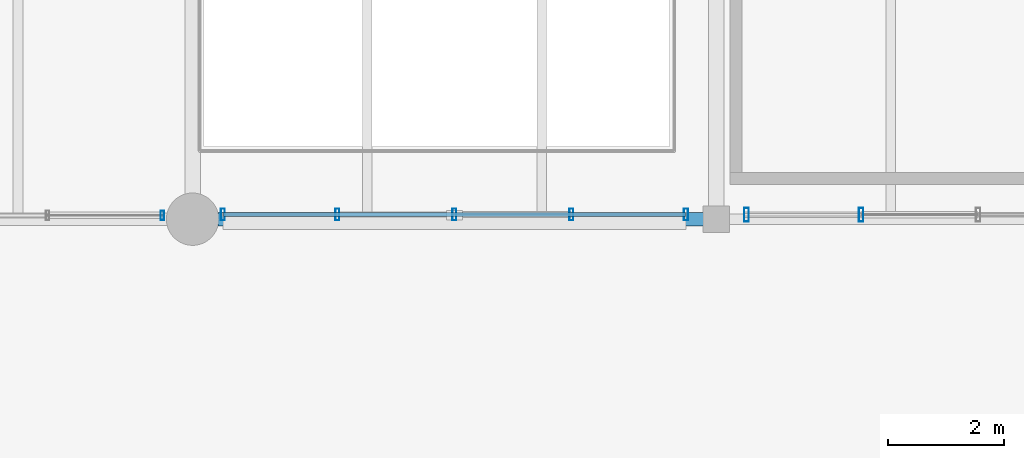
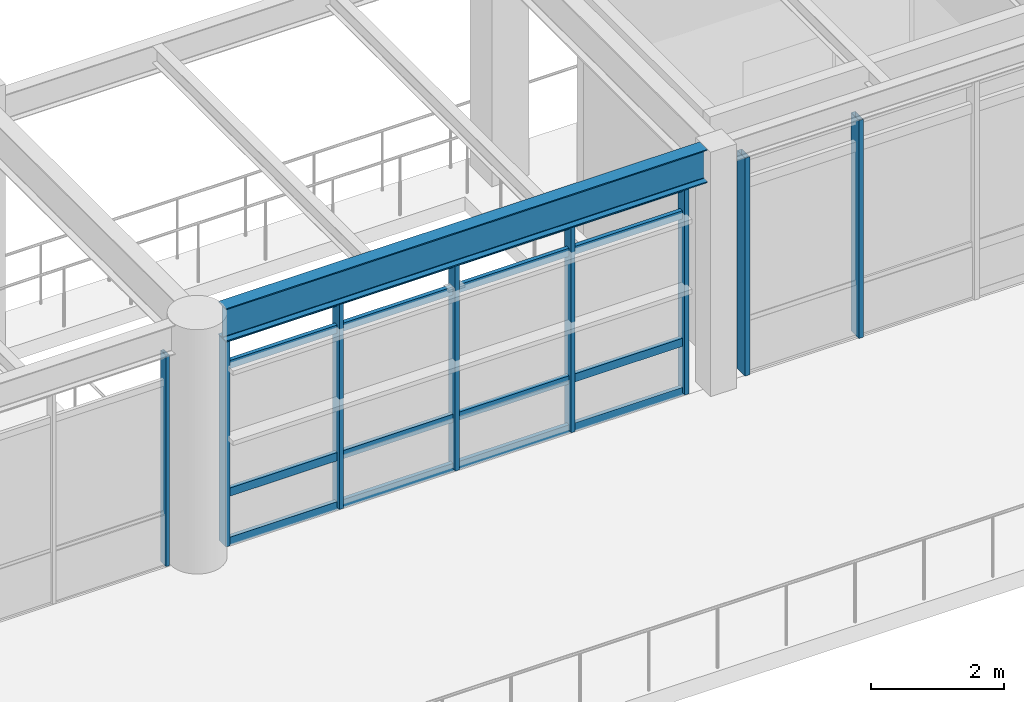
# One storey, part 49 of 200: 12 members, 1 beam, 3 elements without a shape of their own.
"""IFC4 building model written with IfcOpenShell, lengths in metres."""

from ifc_helpers import new_model, si_unit, direction, frame, origin, origin_2d, place, context, subcontext, project, spatial, hollow_rectangle, i_section, extrude, material, material_profile, profile_set, type_object, element, aggregate, save


model = new_model("IFC4")

# Units and contexts
model_context = context("Model", 3, precision=1e-05, world=origin(), true_north=direction((0.0, 1.0)))
body_context = subcontext(model_context, "Body", "Model", "MODEL_VIEW")
ifc_project = project(units=[si_unit("LENGTHUNIT", "METRE"), si_unit("AREAUNIT", "SQUARE_METRE"), si_unit("VOLUMEUNIT", "CUBIC_METRE"), si_unit("PLANEANGLEUNIT", "RADIAN"), si_unit("MASSUNIT", "GRAM", prefix="KILO"), si_unit("THERMODYNAMICTEMPERATUREUNIT", "KELVIN"), si_unit("POWERUNIT", "WATT")], contexts=[model_context])

# Site, building, storey
site_placement = place(None, origin())
site = spatial("IfcSite", under=ifc_project, at=site_placement, CompositionType="ELEMENT")
building_placement = place(site_placement, origin())
building = spatial("IfcBuilding", under=site, at=building_placement, Name="Tepalcoro Natatorium and Aquatics Centre", CompositionType="ELEMENT")
storey_placement = place(building_placement, frame((0.0, 0.0, 5.39990234375)))
storey = spatial("IfcBuildingStorey", under=building, at=storey_placement, Name="L01", CompositionType="ELEMENT", Elevation=5.39990234375)

# Curtain wall, member
ifc_material_1 = material(Name="Bronze-Anodised Extruded Aluminium Alloy EN AW-6063 T6", Category="aluminium")
curtain_wall_type_1 = type_object("IfcCurtainWallType", Name="CW_LEAN_T1_NS", PredefinedType="USERDEFINED", material=ifc_material_1)
curtain_wall_1_placement = place(storey_placement, origin())
curtain_wall_1 = element("IfcCurtainWall", 1, at=curtain_wall_1_placement, inside=storey, type_object=curtain_wall_type_1, Name="V1 L01 S Unitised Curtain Wall Bay 6", ObjectType="FACETED SOLAR GLAZING", PredefinedType="USERDEFINED")
ifc_material_profile_1 = material_profile(ifc_material_1, hollow_rectangle(XDim=0.06005859375, YDim=0.159912109375, WallThickness=0.00390625, at=origin_2d()), Name="AL60X160X4")
ifc_profile_set_1 = profile_set([ifc_material_profile_1], Name="Bronze-Anodised Extruded Aluminium Alloy EN AW-6063 T6")
member_type_1 = type_object("IfcMemberType", Name="CW_MUL_60x160", PredefinedType="MULLION", material=ifc_profile_set_1)
member_1_placement = place(storey_placement, frame((97.47998046875, 6.56494140625, 0.02001953125), z_axis=(0.0, 0.0, 1.0), x_axis=(1.0, 0.0, 0.0)))
member_1 = element("IfcMember", 2, at=member_1_placement, type_object=member_type_1, Name="CW_LEAN_T1_NS Curtain Wall Mullion", PredefinedType="MULLION", context=body_context, shape_type="SweptSolid", body=[
    extrude(hollow_rectangle(XDim=0.06005859375, YDim=0.159912109375, WallThickness=0.00390625, at=origin_2d()), origin(), (0.0, 0.0, 1.0), 3.8740234375),
])
aggregate(curtain_wall_1, [member_1])

# Curtain wall, members
curtain_wall_type_2 = type_object("IfcCurtainWallType", Name="CW_LEAN_T1_EW", PredefinedType="USERDEFINED", material=ifc_material_1)
curtain_wall_2_placement = place(storey_placement, origin())
curtain_wall_2 = element("IfcCurtainWall", 3, at=curtain_wall_2_placement, inside=storey, type_object=curtain_wall_type_2, Name="V1 L01 S Unitised Curtain Wall Bay 7", ObjectType="FACETED SOLAR GLAZING", PredefinedType="USERDEFINED")
ifc_material_profile_2 = material_profile(ifc_material_1, hollow_rectangle(XDim=0.070068359375, YDim=0.199951171875, WallThickness=0.0048828125, at=origin_2d()), Name="AL70X200X5")
ifc_profile_set_2 = profile_set([ifc_material_profile_2], Name="Bronze-Anodised Extruded Aluminium Alloy EN AW-6063 T6")
member_type_2 = type_object("IfcMemberType", Name="CW_MUL_70x200", PredefinedType="MULLION", material=ifc_profile_set_2)
member_2_placement = place(storey_placement, frame((98.52001953125, 6.580078125, 0.02001953125), z_axis=(0.0, 0.0, 1.0), x_axis=(1.0, 0.0, 0.0)))
member_2 = element("IfcMember", 4, at=member_2_placement, type_object=member_type_2, Name="CW_LEAN_T1_EW Curtain Wall Mullion", PredefinedType="MULLION", context=body_context, shape_type="SweptSolid", body=[
    extrude(hollow_rectangle(XDim=0.070068359375, YDim=0.199951171875, WallThickness=0.0048828125, at=origin_2d()), origin(), (0.0, 0.0, 1.0), 3.798095703125),
])
member_3_placement = place(storey_placement, frame((100.489990234375, 6.580078125, 0.02001953125), z_axis=(0.0, 0.0, 1.0), x_axis=(1.0, 0.0, 0.0)))
member_3 = element("IfcMember", 5, at=member_3_placement, type_object=member_type_2, Name="CW_LEAN_T1_EW Curtain Wall Mullion", PredefinedType="MULLION", context=body_context, shape_type="SweptSolid", body=[
    extrude(hollow_rectangle(XDim=0.070068359375, YDim=0.199951171875, WallThickness=0.0048828125, at=origin_2d()), origin(), (0.0, 0.0, 1.0), 3.798095703125),
])
member_4_placement = place(storey_placement, frame((102.5, 6.580078125, 0.02001953125), z_axis=(0.0, 0.0, 1.0), x_axis=(1.0, 0.0, 0.0)))
member_4 = element("IfcMember", 6, at=member_4_placement, type_object=member_type_2, Name="CW_LEAN_T1_EW Curtain Wall Mullion", PredefinedType="MULLION", context=body_context, shape_type="SweptSolid", body=[
    extrude(hollow_rectangle(XDim=0.070068359375, YDim=0.199951171875, WallThickness=0.0048828125, at=origin_2d()), origin(), (0.0, 0.0, 1.0), 3.798095703125),
])
member_5_placement = place(storey_placement, frame((104.510009765625, 6.580078125, 0.02001953125), z_axis=(0.0, 0.0, 1.0), x_axis=(1.0, 0.0, 0.0)))
member_5 = element("IfcMember", 7, at=member_5_placement, type_object=member_type_2, Name="CW_LEAN_T1_EW Curtain Wall Mullion", PredefinedType="MULLION", context=body_context, shape_type="SweptSolid", body=[
    extrude(hollow_rectangle(XDim=0.070068359375, YDim=0.199951171875, WallThickness=0.0048828125, at=origin_2d()), origin(), (0.0, 0.0, 1.0), 3.798095703125),
])
member_6_placement = place(storey_placement, frame((106.47998046875, 6.580078125, 0.02001953125), z_axis=(0.0, 0.0, 1.0), x_axis=(1.0, 0.0, 0.0)))
member_6 = element("IfcMember", 8, at=member_6_placement, type_object=member_type_2, Name="CW_LEAN_T1_EW Curtain Wall Mullion", PredefinedType="MULLION", context=body_context, shape_type="SweptSolid", body=[
    extrude(hollow_rectangle(XDim=0.070068359375, YDim=0.199951171875, WallThickness=0.0048828125, at=origin_2d()), origin(), (0.0, 0.0, 1.0), 3.798095703125),
])

curtain_wall_type_3 = type_object("IfcCurtainWallType", Name="CW_LEAN_T2_NS", PredefinedType="USERDEFINED", material=ifc_material_1)
curtain_wall_3_placement = place(storey_placement, origin())
curtain_wall_3 = element("IfcCurtainWall", 9, at=curtain_wall_3_placement, inside=storey, type_object=curtain_wall_type_3, Name="V1 L01 S Unitised Curtain Wall Bay 8", ObjectType="FACETED SOLAR GLAZING", PredefinedType="USERDEFINED")
ifc_material_profile_3 = material_profile(ifc_material_1, hollow_rectangle(XDim=0.080078125, YDim=0.239990234375, WallThickness=0.0048828125, at=origin_2d()), Name="AL80X240X5")
ifc_profile_set_3 = profile_set([ifc_material_profile_3], Name="Bronze-Anodised Extruded Aluminium Alloy EN AW-6063 T6")
member_type_3 = type_object("IfcMemberType", Name="CW_MUL_80x240", PredefinedType="MULLION", material=ifc_profile_set_3)
member_7_placement = place(storey_placement, frame((107.52001953125, 6.576171875, 0.02001953125), z_axis=(0.0, 0.0, 1.0), x_axis=(1.0, 0.0, 0.0)))
member_7 = element("IfcMember", 10, at=member_7_placement, type_object=member_type_3, Name="CW_LEAN_T2_NS Curtain Wall Mullion", PredefinedType="MULLION", context=body_context, shape_type="SweptSolid", body=[
    extrude(hollow_rectangle(XDim=0.080078125, YDim=0.239990234375, WallThickness=0.0048828125, at=origin_2d()), origin(), (0.0, 0.0, 1.0), 3.9970703125),
])
member_8_placement = place(storey_placement, frame((109.489990234375, 6.576171875, 0.02001953125), z_axis=(0.0, 0.0, 1.0), x_axis=(1.0, 0.0, 0.0)))
member_8 = element("IfcMember", 11, at=member_8_placement, type_object=member_type_3, Name="CW_LEAN_T2_NS Curtain Wall Mullion", PredefinedType="MULLION", context=body_context, shape_type="SweptSolid", body=[
    extrude(hollow_rectangle(XDim=0.080078125, YDim=0.239990234375, WallThickness=0.0048828125, at=origin_2d()), origin(), (0.0, 0.0, 1.0), 3.9970703125),
])
aggregate(curtain_wall_3, [member_7, member_8])

# Member
ifc_material_profile_4 = material_profile(ifc_material_1, hollow_rectangle(XDim=0.070068359375, YDim=0.14990234375, WallThickness=0.00390625, at=origin_2d()), Name="AL70X150X4")
ifc_profile_set_4 = profile_set([ifc_material_profile_4], Name="Bronze-Anodised Extruded Aluminium Alloy EN AW-6063 T6")
member_type_4 = type_object("IfcMemberType", Name="CW_TRN_70x150", PredefinedType="USERDEFINED", material=ifc_profile_set_4)
member_9_placement = place(storey_placement, frame((98.530029296875, 6.580078125, 0.050048828125), z_axis=(1.0, 0.0, 0.0), x_axis=(0.0, 1.0, 0.0)))
member_9 = element("IfcMember", 12, at=member_9_placement, type_object=member_type_4, Name="CW_LEAN_T1_EW Curtain Wall Transom", ObjectType="TRANSOM", PredefinedType="USERDEFINED", context=body_context, shape_type="SweptSolid", body=[
    extrude(hollow_rectangle(XDim=0.070068359375, YDim=0.14990234375, WallThickness=0.00390625, at=origin_2d()), origin(), (0.0, 0.0, 1.0), 7.93994140625),
])

member_10_placement = place(storey_placement, frame((98.530029296875, 6.580078125, 0.9501953125), z_axis=(1.0, 0.0, 0.0), x_axis=(0.0, 1.0, 0.0)))
member_10 = element("IfcMember", 13, at=member_10_placement, type_object=member_type_4, Name="CW_LEAN_T1_EW Curtain Wall Transom", ObjectType="TRANSOM", PredefinedType="USERDEFINED", context=body_context, shape_type="SweptSolid", body=[
    extrude(hollow_rectangle(XDim=0.070068359375, YDim=0.14990234375, WallThickness=0.00390625, at=origin_2d()), origin(), (0.0, 0.0, 1.0), 7.93994140625),
])

member_11_placement = place(storey_placement, frame((98.530029296875, 6.580078125, 3.2880859375), z_axis=(1.0, 0.0, 0.0), x_axis=(0.0, 1.0, 0.0)))
member_11 = element("IfcMember", 14, at=member_11_placement, type_object=member_type_4, Name="CW_LEAN_T1_EW Curtain Wall Transom", ObjectType="TRANSOM", PredefinedType="USERDEFINED", context=body_context, shape_type="SweptSolid", body=[
    extrude(hollow_rectangle(XDim=0.070068359375, YDim=0.14990234375, WallThickness=0.00390625, at=origin_2d()), origin(), (0.0, 0.0, 1.0), 7.93994140625),
])

member_12_placement = place(storey_placement, frame((98.530029296875, 6.580078125, 3.7880859375), z_axis=(1.0, 0.0, 0.0), x_axis=(0.0, 1.0, 0.0)))
member_12 = element("IfcMember", 15, at=member_12_placement, type_object=member_type_4, Name="CW_LEAN_T1_EW Curtain Wall Transom", ObjectType="TRANSOM", PredefinedType="USERDEFINED", context=body_context, shape_type="SweptSolid", body=[
    extrude(hollow_rectangle(XDim=0.070068359375, YDim=0.14990234375, WallThickness=0.00390625, at=origin_2d()), origin(), (0.0, 0.0, 1.0), 7.93994140625),
])

aggregate(curtain_wall_2, [member_2, member_3, member_4, member_5, member_6, member_9, member_10, member_11, member_12])

# Beam
ifc_material_2 = material(Name="Steel ASTM A992 Grade 50 (Fy 345 MPa)", Category="steel")
ifc_material_profile_5 = material_profile(ifc_material_2, i_section(OverallWidth=0.22900390625, OverallDepth=0.612060546875, WebThickness=0.011962890625, FlangeThickness=0.02001953125, FilletRadius=0.013916015625, at=origin_2d()), Name="W24X84")
ifc_profile_set_5 = profile_set([ifc_material_profile_5], Name="Steel ASTM A992 Grade 50 (Fy 345 MPa)")
beam_type = type_object("IfcBeamType", Name="SP_W24x84", PredefinedType="SPANDREL", material=ifc_profile_set_5)
beam_placement = place(storey_placement, frame((98.43505859375, 6.5, 4.1591796875), z_axis=(1.0, 0.0, 0.0), x_axis=(0.0, 1.0, 0.0)))
element("IfcBeam", 16, at=beam_placement, inside=storey, type_object=beam_type, Name="V1 L01 Grid Girder X", PredefinedType="SPANDREL", context=body_context, shape_type="SweptSolid", body=[
    extrude(i_section(OverallWidth=0.22900390625, OverallDepth=0.612060546875, WebThickness=0.011962890625, FlangeThickness=0.02001953125, FilletRadius=0.013916015625, at=origin_2d()), origin(), (0.0, 0.0, 1.0), 8.35498046875),
])

save(model, "model.ifc")
